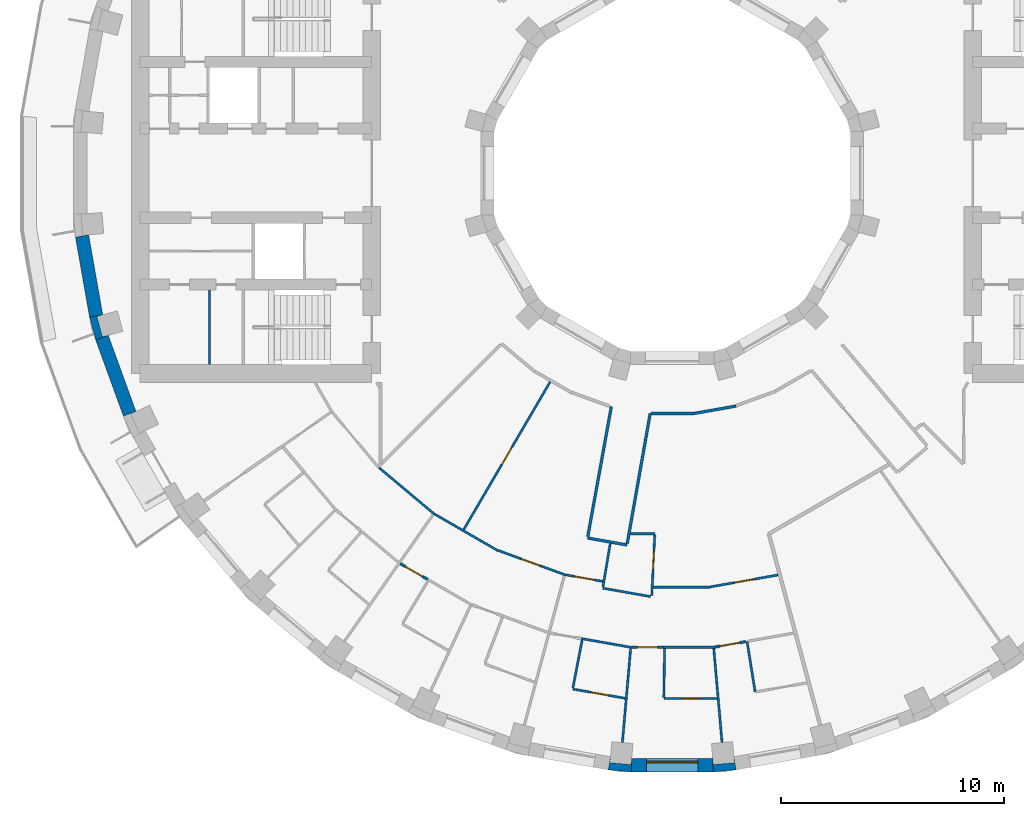
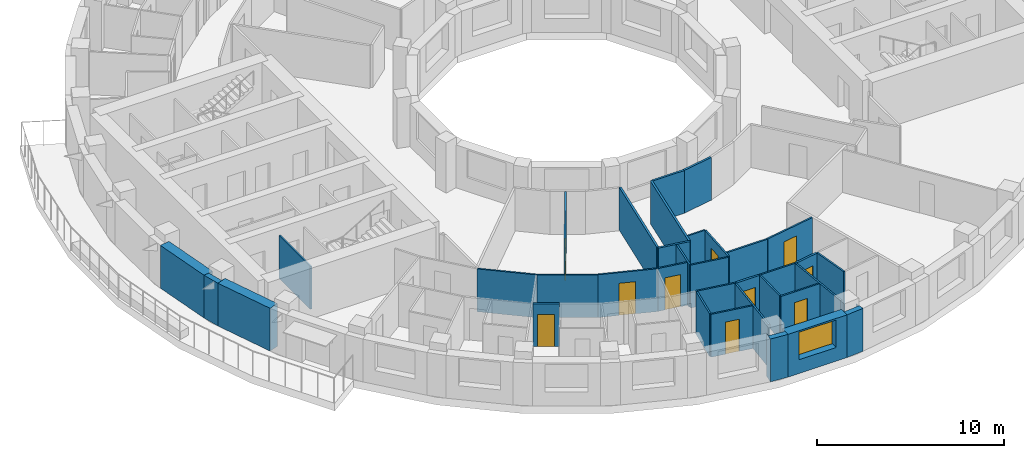
# One storey, part 3 of 12: 35 walls, 10 doors, 1 window, 11 openings.
"""IFC4 building model written with IfcOpenShell, lengths in metres."""

from ifc_helpers import new_model, si_unit, direction, frame, frame_2d, origin, place, context, subcontext, project, spatial, polyline, rectangle, outline, extrude, material, layer, layer_set, type_object, element, fill, save


model = new_model("IFC4")

# Units and contexts
model_context = context("Model", 3, precision=1e-05, world=origin(), true_north=direction((0.0, 1.0)))
body_context = subcontext(model_context, "Body", "Model", "MODEL_VIEW")
ifc_project = project(units=[si_unit("LENGTHUNIT", "METRE"), si_unit("AREAUNIT", "SQUARE_METRE"), si_unit("VOLUMEUNIT", "CUBIC_METRE"), si_unit("PLANEANGLEUNIT", "RADIAN"), si_unit("MASSUNIT", "GRAM", prefix="KILO")], contexts=[model_context])

# Site, building, storey
site_placement = place(None, origin())
site = spatial("IfcSite", under=ifc_project, at=site_placement, CompositionType="ELEMENT")
building_placement = place(site_placement, origin())
building = spatial("IfcBuilding", under=site, at=building_placement, Name="Saqina Gate Tower", CompositionType="ELEMENT")
storey_placement = place(building_placement, frame((0.0, 0.0, 115.0)))
storey = spatial("IfcBuildingStorey", under=building, at=storey_placement, Name="L32", CompositionType="ELEMENT", Elevation=115.0)

# Walls
ifc_material_1 = material(Name="Brick masonry (buff)", Category="masonry")
wall_type_1 = type_object("IfcWallType", Name="BRICK PIER COPING BUFF", PredefinedType="SOLIDWALL", material=ifc_material_1)
wall_1_placement = place(storey_placement, origin())
element("IfcWall", 1, at=wall_1_placement, inside=storey, type_object=wall_type_1, Name="Pier cap L32 column 20", PredefinedType="SOLIDWALL", context=body_context, shape_type="SweptSolid", body=[
    extrude(outline(polyline([(-26.171875, -6.466796875), (-25.89892578125, -7.485595703125), (-25.335205078125, -7.2802734375), (-25.5947265625, -7.349853515625), (-25.8408203125, -6.43212890625), (-25.5810546875, -6.36279296875), (-26.171875, -6.466796875)])), origin(), (0.0, 0.0, 1.0), 2.800048828125),
])
wall_2_placement = place(storey_placement, origin())
element("IfcWall", 2, at=wall_2_placement, inside=storey, type_object=wall_type_1, Name="Pier cap L32 column 27", PredefinedType="SOLIDWALL", context=body_context, shape_type="SweptSolid", body=[
    extrude(outline(polyline([(-2.87451171875, -26.805419921875), (-1.823974609375, -26.897216796875), (-1.823974609375, -26.29736328125), (-1.847412109375, -26.565185546875), (-2.793701171875, -26.482421875), (-2.770263671875, -26.214599609375), (-2.87451171875, -26.805419921875)])), origin(), (0.0, 0.0, 1.0), 2.800048828125),
])
wall_3_placement = place(storey_placement, origin())
element("IfcWall", 3, at=wall_3_placement, inside=storey, type_object=wall_type_1, Name="Pier cap L32 column 28", PredefinedType="SOLIDWALL", context=body_context, shape_type="SweptSolid", body=[
    extrude(outline(polyline([(2.87451171875, -26.805419921875), (2.770263671875, -26.214599609375), (2.793701171875, -26.482421875), (1.847412109375, -26.565185546875), (1.823974609375, -26.29736328125), (1.823974609375, -26.897216796875), (2.87451171875, -26.805419921875)])), origin(), (0.0, 0.0, 1.0), 2.800048828125),
])
ifc_material_2 = material(Name="Gypsum board on steel studs", Category="steel")
ifc_layer_1 = layer(ifc_material_2, 0.10009765625)
ifc_layer_set_1 = layer_set([ifc_layer_1], Name="CORE PARTITION")
wall_type_2 = type_object("IfcWallType", Name="CORE PARTITION", PredefinedType="PARTITIONING", material=ifc_layer_set_1)
wall_4_placement = place(storey_placement, frame((-20.782958984375, -8.60009765625, 0.0), z_axis=(0.0, 0.0, 1.0), x_axis=(0.0, 1.0, 0.0)))
element("IfcWall", 4, at=wall_4_placement, inside=storey, type_object=wall_type_2, Name="L32-CP-W13", PredefinedType="PARTITIONING", context=body_context, shape_type="SweptSolid", body=[
    extrude(rectangle(XDim=3.35009765625, YDim=0.10009765625, at=frame_2d((1.675048828125, 0.0))), origin(), (0.0, 0.0, 1.0), 2.800048828125),
])

# Wall, opening, window
ifc_material_3 = material(Name="Brick masonry (buff)", Category="masonry")
ifc_layer_2 = layer(ifc_material_3, 0.60009765625)
ifc_layer_set_2 = layer_set([ifc_layer_2], Name="FW-BRICK-BUFF")
wall_type_3 = type_object("IfcWallType", Name="FW-BRICK-BUFF", PredefinedType="SOLIDWALL", material=ifc_layer_set_2)
wall_5_placement = place(storey_placement, frame((-1.823974609375, -26.59716796875, 0.0), z_axis=(0.0, 0.0, 1.0), x_axis=(1.0, 0.0, 0.0)))
wall_5 = element("IfcWall", 5, at=wall_5_placement, inside=storey, type_object=wall_type_3, Name="Facade wall L32 facet 27", PredefinedType="SOLIDWALL", context=body_context, shape_type="SweptSolid", body=[
    extrude(rectangle(XDim=3.64794921875, YDim=0.60009765625, at=frame_2d((1.823974609375, 0.0))), origin(), (0.0, 0.0, 1.0), 2.800048828125),
])
opening_1_placement = place(wall_5_placement, frame((0.673828125, 0.0, 0.89990234375)))
opening_1 = element("IfcOpeningElement", 6, at=opening_1_placement, cuts=wall_5, Name="Opening G09-W19", PredefinedType="OPENING", context=body_context, shape_type="SweptSolid", body=[
    extrude(rectangle(XDim=2.300048828125, YDim=1.800048828125, at=frame_2d((1.14990234375, 0.89990234375))), frame((0.0, 0.31201171875, 0.0), z_axis=(0.0, -1.0, 0.0), x_axis=(1.0, 0.0, 0.0)), (0.0, 0.0, 1.0), 0.6240234375),
])
ifc_material_4 = material(Name="Aluminium glazing", Category="aluminium")
window_type = type_object("IfcWindowType", Name="WN-B", PartitioningType="SINGLE_PANEL", PredefinedType="WINDOW", material=ifc_material_4)
window_placement = place(opening_1_placement, origin())
window = element("IfcWindow", 7, at=window_placement, inside=storey, type_object=window_type, Name="Window L32 facet 27", OverallHeight=1.800048828125, OverallWidth=2.300048828125, PartitioningType="SINGLE_PANEL", PredefinedType="WINDOW", context=body_context, shape_type="SweptSolid", body=[
    extrude(rectangle(XDim=2.300048828125, YDim=1.800048828125, at=frame_2d((1.14990234375, 0.89990234375))), frame((0.0, 0.179931640625, 0.0), z_axis=(0.0, -1.0, 0.0), x_axis=(1.0, 0.0, 0.0)), (0.0, 0.0, 1.0), 0.06005859375),
])
fill(opening_1, window)

# Walls
ifc_material_5 = material(Name="Glazed ceramic tile", Category="ceramic")
ifc_layer_3 = layer(ifc_material_5, 0.60009765625)
ifc_layer_set_3 = layer_set([ifc_layer_3], Name="FW-TILE")
wall_type_4 = type_object("IfcWallType", Name="FW-TILE", PredefinedType="SOLIDWALL", material=ifc_layer_set_3)
wall_6_placement = place(storey_placement, frame((-26.510009765625, -2.822265625, 0.0), z_axis=(0.0, 0.0, 1.0), x_axis=(0.173670796382, -0.984803764455, 0.0)))
element("IfcWall", 8, at=wall_6_placement, inside=storey, type_object=wall_type_4, Name="Facade wall L32 facet 19", PredefinedType="SOLIDWALL", context=body_context, shape_type="SweptSolid", body=[
    extrude(rectangle(XDim=3.64794921875, YDim=0.60009765625, at=frame_2d((1.823974609375, 0.0))), origin(), (0.0, 0.0, 1.0), 2.800048828125),
])
ifc_material_6 = material(Name="Glazed ceramic tile (white)", Category="ceramic")
ifc_layer_4 = layer(ifc_material_6, 0.60009765625)
ifc_layer_set_4 = layer_set([ifc_layer_4], Name="FW-TILE-WH")
wall_type_5 = type_object("IfcWallType", Name="FW-TILE-WH", PredefinedType="SOLIDWALL", material=ifc_layer_set_4)
wall_7_placement = place(storey_placement, frame((-25.616943359375, -7.3828125, 0.0), z_axis=(0.0, 0.0, 1.0), x_axis=(0.341990236633, -0.939703505393, 0.0)))
element("IfcWall", 9, at=wall_7_placement, inside=storey, type_object=wall_type_5, Name="Facade wall L32 facet 20", PredefinedType="SOLIDWALL", context=body_context, shape_type="SweptSolid", body=[
    extrude(rectangle(XDim=3.64794921875, YDim=0.60009765625, at=frame_2d((1.823974609375, 0.0))), origin(), (0.0, 0.0, 1.0), 2.800048828125),
])
ifc_material_7 = material(Name="Gypsum board on steel studs, 100 mm", Category="steel")
ifc_layer_5 = layer(ifc_material_7, 0.10009765625)
ifc_layer_set_5 = layer_set([ifc_layer_5], Name="PARTITION 100")
wall_type_6 = type_object("IfcWallType", Name="PARTITION 100", PredefinedType="PARTITIONING", material=ifc_layer_set_5)
wall_8_placement = place(storey_placement, frame((1.866455078125, -21.346923828125, 0.0), z_axis=(0.0, 0.0, 1.0), x_axis=(0.087475042973, -0.996166711378, 0.0)))
element("IfcWall", 10, at=wall_8_placement, inside=storey, type_object=wall_type_6, Name="PARTITION PW3-02", PredefinedType="PARTITIONING", context=body_context, shape_type="SweptSolid", body=[
    extrude(rectangle(XDim=4.23681640625, YDim=0.10009765625, at=frame_2d((2.118408203125, 0.0))), origin(), (0.0, 0.0, 1.0), 2.800048828125),
])
wall_9_placement = place(storey_placement, frame((3.362060546875, -21.032958984375, 0.0), z_axis=(0.0, 0.0, 1.0), x_axis=(0.157853871444, -0.987462482968, 0.0)))
element("IfcWall", 11, at=wall_9_placement, inside=storey, type_object=wall_type_6, Name="PARTITION PW3-04", PredefinedType="PARTITIONING", context=body_context, shape_type="SweptSolid", body=[
    extrude(rectangle(XDim=2.2998046875, YDim=0.10009765625, at=frame_2d((1.14990234375, 0.0))), origin(), (0.0, 0.0, 1.0), 2.800048828125),
])
wall_10_placement = place(storey_placement, frame((-13.163818359375, -13.234130859375, 0.0), z_axis=(0.0, 0.0, 1.0), x_axis=(0.766028328168, -0.642806814248, 0.0)))
element("IfcWall", 12, at=wall_10_placement, inside=storey, type_object=wall_type_6, Name="PARTITION PW3-26", PredefinedType="PARTITIONING", context=body_context, shape_type="SweptSolid", body=[
    extrude(rectangle(XDim=3.25537109375, YDim=0.10009765625, at=frame_2d((1.627685546875, 0.0))), origin(), (0.0, 0.0, 1.0), 2.800048828125),
])
wall_11_placement = place(storey_placement, frame((-10.665771484375, -15.319091796875, 0.0), z_axis=(0.0, 0.0, 1.0), x_axis=(0.866019502567, -0.500010221068, 0.0)))
element("IfcWall", 13, at=wall_11_placement, inside=storey, type_object=wall_type_6, Name="PARTITION PW3-33", PredefinedType="PARTITIONING", context=body_context, shape_type="SweptSolid", body=[
    extrude(rectangle(XDim=3.255859375, YDim=0.10009765625, at=frame_2d((1.6279296875, 0.0))), origin(), (0.0, 0.0, 1.0), 2.800048828125),
])

# Wall, opening, door
wall_12_placement = place(storey_placement, frame((-7.843017578125, -16.93798828125, 0.0), z_axis=(0.0, 0.0, 1.0), x_axis=(0.939697033511, -0.34200801922, 0.0)))
wall_12 = element("IfcWall", 14, at=wall_12_placement, inside=storey, type_object=wall_type_6, Name="PARTITION PW3-40", PredefinedType="PARTITIONING", context=body_context, shape_type="SweptSolid", body=[
    extrude(rectangle(XDim=3.255126953125, YDim=0.10009765625, at=frame_2d((1.62744140625, 0.0))), origin(), (0.0, 0.0, 1.0), 2.800048828125),
])
opening_2_placement = place(wall_12_placement, frame((1.127197265625, 0.0, 0.0)))
opening_2 = element("IfcOpeningElement", 15, at=opening_2_placement, cuts=wall_12, Name="Opening G09-D39", PredefinedType="OPENING", context=body_context, shape_type="SweptSolid", body=[
    extrude(rectangle(XDim=0.89990234375, YDim=2.10009765625, at=frame_2d((0.449951171875, 1.050048828125))), frame((0.0, 0.06201171875, 0.0), z_axis=(0.0, -1.0, 0.0), x_axis=(1.0, 0.0, 0.0)), (0.0, 0.0, 1.0), 0.1240234375),
])
ifc_material_8 = material(Name="Timber door leaf, 900 mm", Category="wood")
door_type_1 = type_object("IfcDoorType", Name="DOOR 900 TIMBER", OperationType="SINGLE_SWING_LEFT", PredefinedType="DOOR", material=ifc_material_8)
door_1_placement = place(opening_2_placement, origin())
door_1 = element("IfcDoor", 16, at=door_1_placement, inside=storey, type_object=door_type_1, Name="DOOR G09-D39", OperationType="SINGLE_SWING_LEFT", OverallHeight=2.10009765625, OverallWidth=0.89990234375, PredefinedType="DOOR", context=body_context, shape_type="SweptSolid", body=[
    extrude(rectangle(XDim=0.89990234375, YDim=2.10009765625, at=frame_2d((0.449951171875, 1.050048828125))), frame((0.0, 0.02490234375, 0.0), z_axis=(0.0, -1.0, 0.0), x_axis=(1.0, 0.0, 0.0)), (0.0, 0.0, 1.0), 0.050048828125),
])
fill(opening_2, door_1)

wall_13_placement = place(storey_placement, frame((-4.469970703125, -23.173095703125, 0.0), z_axis=(0.0, 0.0, 1.0), x_axis=(0.984826665662, -0.173540884522, 0.0)))
wall_13 = element("IfcWall", 17, at=wall_13_placement, inside=storey, type_object=wall_type_6, Name="PARTITION PW3-45", PredefinedType="PARTITIONING", context=body_context, shape_type="SweptSolid", body=[
    extrude(rectangle(XDim=2.39306640625, YDim=0.10009765625, at=frame_2d((1.196533203125, 0.0))), origin(), (0.0, 0.0, 1.0), 2.800048828125),
])
opening_3_placement = place(wall_13_placement, frame((0.821533203125, 0.0, 0.0)))
opening_3 = element("IfcOpeningElement", 18, at=opening_3_placement, cuts=wall_13, Name="Opening G09-D43", PredefinedType="OPENING", context=body_context, shape_type="SweptSolid", body=[
    extrude(rectangle(XDim=0.800048828125, YDim=2.10009765625, at=frame_2d((0.39990234375, 1.050048828125))), frame((0.0, 0.06201171875, 0.0), z_axis=(0.0, -1.0, 0.0), x_axis=(1.0, 0.0, 0.0)), (0.0, 0.0, 1.0), 0.1240234375),
])
ifc_material_9 = material(Name="Timber door leaf, 800 mm", Category="wood")
door_type_2 = type_object("IfcDoorType", Name="DOOR 800 TIMBER", OperationType="SINGLE_SWING_LEFT", PredefinedType="DOOR", material=ifc_material_9)
door_2_placement = place(opening_3_placement, frame((0.800048828125, 0.0, 0.0), z_axis=(0.0, 0.0, 1.0), x_axis=(-1.0, 0.0, 0.0)))
door_2 = element("IfcDoor", 19, at=door_2_placement, inside=storey, type_object=door_type_2, Name="DOOR G09-D43", OperationType="SINGLE_SWING_LEFT", OverallHeight=2.10009765625, OverallWidth=0.800048828125, PredefinedType="DOOR", context=body_context, shape_type="SweptSolid", body=[
    extrude(rectangle(XDim=0.800048828125, YDim=2.10009765625, at=frame_2d((0.39990234375, 1.050048828125))), frame((0.0, 0.02490234375, 0.0), z_axis=(0.0, -1.0, 0.0), x_axis=(1.0, 0.0, 0.0)), (0.0, 0.0, 1.0), 0.050048828125),
])
fill(opening_3, door_2)

# Walls
wall_14_placement = place(storey_placement, frame((-4.084228515625, -20.9052734375, 0.0), z_axis=(0.0, 0.0, 1.0), x_axis=(0.984796344358, -0.173712866935, 0.0)))
element("IfcWall", 20, at=wall_14_placement, inside=storey, type_object=wall_type_6, Name="PARTITION PW3-46", PredefinedType="PARTITIONING", context=body_context, shape_type="SweptSolid", body=[
    extrude(rectangle(XDim=2.306396484375, YDim=0.10009765625, at=frame_2d((1.1533203125, 0.0))), origin(), (0.0, 0.0, 1.0), 2.800048828125),
])
wall_15_placement = place(storey_placement, frame((-3.118896484375, -18.64111328125, 0.0), z_axis=(0.0, 0.0, 1.0), x_axis=(0.984804954455, -0.173664048326, 0.0)))
element("IfcWall", 21, at=wall_15_placement, inside=storey, type_object=wall_type_6, Name="PARTITION PW3-47", PredefinedType="PARTITIONING", context=body_context, shape_type="SweptSolid", body=[
    extrude(rectangle(XDim=2.181884765625, YDim=0.10009765625, at=frame_2d((1.0908203125, 0.0))), origin(), (0.0, 0.0, 1.0), 2.800048828125),
])

# Wall, opening, door
wall_16_placement = place(storey_placement, frame((-4.78271484375, -18.042724609375, 0.0), z_axis=(0.0, 0.0, 1.0), x_axis=(0.98477046178, -0.173859534124, 0.0)))
wall_16 = element("IfcWall", 22, at=wall_16_placement, inside=storey, type_object=wall_type_6, Name="PARTITION PW3-48", PredefinedType="PARTITIONING", context=body_context, shape_type="SweptSolid", body=[
    extrude(rectangle(XDim=1.689208984375, YDim=0.10009765625, at=frame_2d((0.8447265625, 0.0))), origin(), (0.0, 0.0, 1.0), 2.800048828125),
])
opening_4_placement = place(wall_16_placement, frame((0.39453125, 0.0, 0.0)))
opening_4 = element("IfcOpeningElement", 23, at=opening_4_placement, cuts=wall_16, Name="Opening G09-D42", PredefinedType="OPENING", context=body_context, shape_type="SweptSolid", body=[
    extrude(rectangle(XDim=0.89990234375, YDim=2.10009765625, at=frame_2d((0.449951171875, 1.050048828125))), frame((0.0, 0.06201171875, 0.0), z_axis=(0.0, -1.0, 0.0), x_axis=(1.0, 0.0, 0.0)), (0.0, 0.0, 1.0), 0.1240234375),
])
door_3_placement = place(opening_4_placement, origin())
door_3 = element("IfcDoor", 24, at=door_3_placement, inside=storey, type_object=door_type_1, Name="DOOR G09-D42", OperationType="SINGLE_SWING_RIGHT", OverallHeight=2.10009765625, OverallWidth=0.89990234375, PredefinedType="DOOR", context=body_context, shape_type="SweptSolid", body=[
    extrude(rectangle(XDim=0.89990234375, YDim=2.10009765625, at=frame_2d((0.449951171875, 1.050048828125))), frame((0.0, 0.02490234375, 0.0), z_axis=(0.0, -1.0, 0.0), x_axis=(1.0, 0.0, 0.0)), (0.0, 0.0, 1.0), 0.050048828125),
])
fill(opening_4, door_3)

wall_17_placement = place(storey_placement, frame((-0.3779296875, -23.596923828125, 0.0), z_axis=(0.0, 0.0, 1.0), x_axis=(1.0, 0.0, 0.0)))
wall_17 = element("IfcWall", 25, at=wall_17_placement, inside=storey, type_object=wall_type_6, Name="PARTITION PW3-51", PredefinedType="PARTITIONING", context=body_context, shape_type="SweptSolid", body=[
    extrude(rectangle(XDim=2.391845703125, YDim=0.10009765625, at=frame_2d((1.19580078125, 0.0))), origin(), (0.0, 0.0, 1.0), 2.800048828125),
])
opening_5_placement = place(wall_17_placement, frame((0.821044921875, 0.0, 0.0)))
opening_5 = element("IfcOpeningElement", 26, at=opening_5_placement, cuts=wall_17, Name="Opening G09-D46", PredefinedType="OPENING", context=body_context, shape_type="SweptSolid", body=[
    extrude(rectangle(XDim=0.800048828125, YDim=2.10009765625, at=frame_2d((0.39990234375, 1.050048828125))), frame((0.0, 0.06201171875, 0.0), z_axis=(0.0, -1.0, 0.0), x_axis=(1.0, 0.0, 0.0)), (0.0, 0.0, 1.0), 0.1240234375),
])
door_4_placement = place(opening_5_placement, frame((0.800048828125, 0.0, 0.0), z_axis=(0.0, 0.0, 1.0), x_axis=(-1.0, 0.0, 0.0)))
door_4 = element("IfcDoor", 27, at=door_4_placement, inside=storey, type_object=door_type_2, Name="DOOR G09-D46", OperationType="SINGLE_SWING_LEFT", OverallHeight=2.10009765625, OverallWidth=0.800048828125, PredefinedType="DOOR", context=body_context, shape_type="SweptSolid", body=[
    extrude(rectangle(XDim=0.800048828125, YDim=2.10009765625, at=frame_2d((0.39990234375, 1.050048828125))), frame((0.0, 0.02490234375, 0.0), z_axis=(0.0, -1.0, 0.0), x_axis=(1.0, 0.0, 0.0)), (0.0, 0.0, 1.0), 0.050048828125),
])
fill(opening_5, door_4)

# Walls
wall_18_placement = place(storey_placement, frame((-0.39111328125, -21.297119140625, 0.0), z_axis=(0.0, 0.0, 1.0), x_axis=(1.0, 0.0, 0.0)))
element("IfcWall", 28, at=wall_18_placement, inside=storey, type_object=wall_type_6, Name="PARTITION PW3-52", PredefinedType="PARTITIONING", context=body_context, shape_type="SweptSolid", body=[
    extrude(rectangle(XDim=2.304931640625, YDim=0.10009765625, at=frame_2d((1.15234375, 0.0))), origin(), (0.0, 0.0, 1.0), 2.800048828125),
])
wall_19_placement = place(storey_placement, frame((-0.84912109375, -18.59912109375, 0.0), z_axis=(0.0, 0.0, 1.0), x_axis=(1.0, 0.0, 0.0)))
element("IfcWall", 29, at=wall_19_placement, inside=storey, type_object=wall_type_6, Name="PARTITION PW3-53", PredefinedType="PARTITIONING", context=body_context, shape_type="SweptSolid", body=[
    extrude(rectangle(XDim=2.52685546875, YDim=0.10009765625, at=frame_2d((1.263427734375, 0.0))), origin(), (0.0, 0.0, 1.0), 2.800048828125),
])
wall_20_placement = place(storey_placement, frame((-1.880615234375, -16.201904296875, 0.0), z_axis=(0.0, 0.0, 1.0), x_axis=(1.0, 0.0, 0.0)))
element("IfcWall", 30, at=wall_20_placement, inside=storey, type_object=wall_type_6, Name="PARTITION PW3-54", PredefinedType="PARTITIONING", context=body_context, shape_type="SweptSolid", body=[
    extrude(rectangle(XDim=1.09765625, YDim=0.10009765625, at=frame_2d((0.548828125, 0.0))), origin(), (0.0, 0.0, 1.0), 2.800048828125),
])

# Wall, opening, door
wall_21_placement = place(storey_placement, frame((1.67626953125, -18.59033203125, 0.0), z_axis=(0.0, 0.0, 1.0), x_axis=(0.984818097546, 0.173589500677, 0.0)))
wall_21 = element("IfcWall", 31, at=wall_21_placement, inside=storey, type_object=wall_type_6, Name="PARTITION PW3-60", PredefinedType="PARTITIONING", context=body_context, shape_type="SweptSolid", body=[
    extrude(rectangle(XDim=3.12939453125, YDim=0.10009765625, at=frame_2d((1.564697265625, 0.0))), origin(), (0.0, 0.0, 1.0), 2.800048828125),
])
opening_6_placement = place(wall_21_placement, frame((1.127197265625, 0.0, 0.0)))
opening_6 = element("IfcOpeningElement", 32, at=opening_6_placement, cuts=wall_21, Name="Opening G09-D48", PredefinedType="OPENING", context=body_context, shape_type="SweptSolid", body=[
    extrude(rectangle(XDim=0.89990234375, YDim=2.10009765625, at=frame_2d((0.449951171875, 1.050048828125))), frame((0.0, 0.06201171875, 0.0), z_axis=(0.0, -1.0, 0.0), x_axis=(1.0, 0.0, 0.0)), (0.0, 0.0, 1.0), 0.1240234375),
])
door_5_placement = place(opening_6_placement, origin())
door_5 = element("IfcDoor", 33, at=door_5_placement, inside=storey, type_object=door_type_1, Name="DOOR G09-D48", OperationType="SINGLE_SWING_RIGHT", OverallHeight=2.10009765625, OverallWidth=0.89990234375, PredefinedType="DOOR", context=body_context, shape_type="SweptSolid", body=[
    extrude(rectangle(XDim=0.89990234375, YDim=2.10009765625, at=frame_2d((0.449951171875, 1.050048828125))), frame((0.0, 0.02490234375, 0.0), z_axis=(0.0, -1.0, 0.0), x_axis=(1.0, 0.0, 0.0)), (0.0, 0.0, 1.0), 0.050048828125),
])
fill(opening_6, door_5)

wall_22_placement = place(storey_placement, frame((-9.36572265625, -16.01171875, 0.0), z_axis=(0.0, 0.0, 1.0), x_axis=(0.504907426376, 0.863173499819, 0.0)))
wall_22 = element("IfcWall", 34, at=wall_22_placement, inside=storey, type_object=wall_type_6, Name="PARTITION PW3-86", PredefinedType="PARTITIONING", context=body_context, shape_type="SweptSolid", body=[
    extrude(rectangle(XDim=7.686767578125, YDim=0.10009765625, at=frame_2d((3.84326171875, 0.0))), origin(), (0.0, 0.0, 1.0), 2.800048828125),
])
opening_7_placement = place(wall_22_placement, frame((3.400390625, 0.0, 0.0)))
opening_7 = element("IfcOpeningElement", 35, at=opening_7_placement, cuts=wall_22, Name="Opening G09-D36", PredefinedType="OPENING", context=body_context, shape_type="SweptSolid", body=[
    extrude(rectangle(XDim=0.89990234375, YDim=2.10009765625, at=frame_2d((0.449951171875, 1.050048828125))), frame((0.0, 0.06201171875, 0.0), z_axis=(0.0, -1.0, 0.0), x_axis=(1.0, 0.0, 0.0)), (0.0, 0.0, 1.0), 0.1240234375),
])
door_6_placement = place(opening_7_placement, frame((0.89990234375, 0.0, 0.0), z_axis=(0.0, 0.0, 1.0), x_axis=(-1.0, 0.0, 0.0)))
door_6 = element("IfcDoor", 36, at=door_6_placement, inside=storey, type_object=door_type_1, Name="DOOR G09-D36", OperationType="SINGLE_SWING_LEFT", OverallHeight=2.10009765625, OverallWidth=0.89990234375, PredefinedType="DOOR", context=body_context, shape_type="SweptSolid", body=[
    extrude(rectangle(XDim=0.89990234375, YDim=2.10009765625, at=frame_2d((0.449951171875, 1.050048828125))), frame((0.0, 0.02490234375, 0.0), z_axis=(0.0, -1.0, 0.0), x_axis=(1.0, 0.0, 0.0)), (0.0, 0.0, 1.0), 0.050048828125),
])
fill(opening_7, door_6)

# Walls
wall_23_placement = place(storey_placement, frame((-4.46044921875, -23.1240234375, 0.0), z_axis=(0.0, 0.0, 1.0), x_axis=(0.189008785522, 0.981975396329, 0.0)))
element("IfcWall", 37, at=wall_23_placement, inside=storey, type_object=wall_type_6, Name="PARTITION PW3-100", PredefinedType="PARTITIONING", context=body_context, shape_type="SweptSolid", body=[
    extrude(rectangle(XDim=2.188232421875, YDim=0.10009765625, at=frame_2d((1.09423828125, 0.0))), origin(), (0.0, 0.0, 1.0), 2.800048828125),
])
wall_24_placement = place(storey_placement, frame((-3.110595703125, -18.590576171875, 0.0), z_axis=(0.0, 0.0, 1.0), x_axis=(0.164837501203, 0.986320737994, 0.0)))
element("IfcWall", 38, at=wall_24_placement, inside=storey, type_object=wall_type_6, Name="PARTITION PW3-101", PredefinedType="PARTITIONING", context=body_context, shape_type="SweptSolid", body=[
    extrude(rectangle(XDim=1.986083984375, YDim=0.10009765625, at=frame_2d((0.9931640625, 0.0))), origin(), (0.0, 0.0, 1.0), 2.800048828125),
])
wall_25_placement = place(storey_placement, frame((-2.237060546875, -25.5673828125, 0.0), z_axis=(0.0, 0.0, 1.0), x_axis=(0.087445126958, 0.9961693379, 0.0)))
element("IfcWall", 39, at=wall_25_placement, inside=storey, type_object=wall_type_6, Name="PARTITION PW3-103", PredefinedType="PARTITIONING", context=body_context, shape_type="SweptSolid", body=[
    extrude(rectangle(XDim=4.22412109375, YDim=0.10009765625, at=frame_2d((2.112060546875, 0.0))), origin(), (0.0, 0.0, 1.0), 2.800048828125),
])

# Wall, opening, door
wall_26_placement = place(storey_placement, frame((-0.917724609375, -18.97900390625, 0.0), z_axis=(0.0, 0.0, 1.0), x_axis=(0.049018559161, 0.998797867868, 0.0)))
wall_26 = element("IfcWall", 40, at=wall_26_placement, inside=storey, type_object=wall_type_6, Name="PARTITION PW3-105", PredefinedType="PARTITIONING", context=body_context, shape_type="SweptSolid", body=[
    extrude(rectangle(XDim=2.729248046875, YDim=0.10009765625, at=frame_2d((1.36474609375, 0.0))), origin(), (0.0, 0.0, 1.0), 2.800048828125),
])
opening_8_placement = place(wall_26_placement, frame((1.179443359375, 0.0, 0.0)))
opening_8 = element("IfcOpeningElement", 41, at=opening_8_placement, cuts=wall_26, Name="Opening G09-D45", PredefinedType="OPENING", context=body_context, shape_type="SweptSolid", body=[
    extrude(rectangle(XDim=0.800048828125, YDim=2.10009765625, at=frame_2d((0.39990234375, 1.050048828125))), frame((0.0, 0.06201171875, 0.0), z_axis=(0.0, -1.0, 0.0), x_axis=(1.0, 0.0, 0.0)), (0.0, 0.0, 1.0), 0.1240234375),
])
door_7_placement = place(opening_8_placement, frame((0.800048828125, 0.0, 0.0), z_axis=(0.0, 0.0, 1.0), x_axis=(-1.0, 0.0, 0.0)))
door_7 = element("IfcDoor", 42, at=door_7_placement, inside=storey, type_object=door_type_2, Name="DOOR G09-D45", OperationType="SINGLE_SWING_LEFT", OverallHeight=2.10009765625, OverallWidth=0.800048828125, PredefinedType="DOOR", context=body_context, shape_type="SweptSolid", body=[
    extrude(rectangle(XDim=0.800048828125, YDim=2.10009765625, at=frame_2d((0.39990234375, 1.050048828125))), frame((0.0, 0.02490234375, 0.0), z_axis=(0.0, -1.0, 0.0), x_axis=(1.0, 0.0, 0.0)), (0.0, 0.0, 1.0), 0.050048828125),
])
fill(opening_8, door_7)

# Wall
wall_27_placement = place(storey_placement, frame((-0.377197265625, -23.547119140625, 0.0), z_axis=(0.0, 0.0, 1.0), x_axis=(0.016067560631, 0.999870908415, 0.0)))
element("IfcWall", 43, at=wall_27_placement, inside=storey, type_object=wall_type_6, Name="PARTITION PW3-106", PredefinedType="PARTITIONING", context=body_context, shape_type="SweptSolid", body=[
    extrude(rectangle(XDim=2.18798828125, YDim=0.10009765625, at=frame_2d((1.093994140625, 0.0))), origin(), (0.0, 0.0, 1.0), 2.800048828125),
])

# Wall, opening, door
ifc_material_10 = material(Name="Gypsum board on steel studs, 125 mm, fire rated", Category="steel")
ifc_layer_6 = layer(ifc_material_10, 0.125)
ifc_layer_set_6 = layer_set([ifc_layer_6], Name="PARTITION EI 30 125")
wall_type_7 = type_object("IfcWallType", Name="PARTITION EI 30 125", PredefinedType="PARTITIONING", material=ifc_layer_set_6)
wall_28_placement = place(storey_placement, frame((-12.21875, -17.537109375, 0.0), z_axis=(0.0, 0.0, 1.0), x_axis=(0.866036909293, -0.499980071345, 0.0)))
wall_28 = element("IfcWall", 44, at=wall_28_placement, inside=storey, type_object=wall_type_7, Name="PARTITION PW1-11", PredefinedType="PARTITIONING", context=body_context, shape_type="SweptSolid", body=[
    extrude(rectangle(XDim=1.421875, YDim=0.125, at=frame_2d((0.7109375, 0.0))), origin(), (0.0, 0.0, 1.0), 2.800048828125),
])
opening_9_placement = place(wall_28_placement, frame((0.260986328125, 0.0, 0.0)))
opening_9 = element("IfcOpeningElement", 45, at=opening_9_placement, cuts=wall_28, Name="Opening G09-D35", PredefinedType="OPENING", context=body_context, shape_type="SweptSolid", body=[
    extrude(rectangle(XDim=0.89990234375, YDim=2.10009765625, at=frame_2d((0.449951171875, 1.050048828125))), frame((0.0, 0.074462890625, 0.0), z_axis=(0.0, -1.0, 0.0), x_axis=(1.0, 0.0, 0.0)), (0.0, 0.0, 1.0), 0.14892578125),
])
ifc_material_11 = material(Name="Fire door leaf EI 30, 900 mm")
door_type_3 = type_object("IfcDoorType", Name="DOOR 900 EI 30", OperationType="SINGLE_SWING_LEFT", PredefinedType="DOOR", material=ifc_material_11)
door_8_placement = place(opening_9_placement, origin())
door_8 = element("IfcDoor", 46, at=door_8_placement, inside=storey, type_object=door_type_3, Name="DOOR G09-D35", OperationType="SINGLE_SWING_LEFT", OverallHeight=2.10009765625, OverallWidth=0.89990234375, PredefinedType="DOOR", context=body_context, shape_type="SweptSolid", body=[
    extrude(rectangle(XDim=0.89990234375, YDim=2.10009765625, at=frame_2d((0.449951171875, 1.050048828125))), frame((0.0, 0.02490234375, 0.0), z_axis=(0.0, -1.0, 0.0), x_axis=(1.0, 0.0, 0.0)), (0.0, 0.0, 1.0), 0.050048828125),
])
fill(opening_9, door_8)

# Wall
wall_29_placement = place(storey_placement, frame((-3.803955078125, -16.387939453125, 0.0), z_axis=(0.0, 0.0, 1.0), x_axis=(0.984772635564, -0.173847220985, 0.0)))
element("IfcWall", 47, at=wall_29_placement, inside=storey, type_object=wall_type_7, Name="PARTITION PW1-20", PredefinedType="PARTITIONING", context=body_context, shape_type="SweptSolid", body=[
    extrude(rectangle(XDim=1.80029296875, YDim=0.125, at=frame_2d((0.900146484375, 0.0))), origin(), (0.0, 0.0, 1.0), 2.800048828125),
])

# Wall, opening, door
wall_30_placement = place(storey_placement, frame((-1.81298828125, -21.297119140625, 0.0), z_axis=(0.0, 0.0, 1.0), x_axis=(1.0, 0.0, 0.0)))
wall_30 = element("IfcWall", 48, at=wall_30_placement, inside=storey, type_object=wall_type_7, Name="PARTITION PW1-23", PredefinedType="PARTITIONING", context=body_context, shape_type="SweptSolid", body=[
    extrude(rectangle(XDim=1.421875, YDim=0.125, at=frame_2d((0.7109375, 0.0))), origin(), (0.0, 0.0, 1.0), 2.800048828125),
])
opening_10_placement = place(wall_30_placement, frame((0.260986328125, 0.0, 0.0)))
opening_10 = element("IfcOpeningElement", 49, at=opening_10_placement, cuts=wall_30, Name="Opening G09-D44", PredefinedType="OPENING", context=body_context, shape_type="SweptSolid", body=[
    extrude(rectangle(XDim=0.89990234375, YDim=2.10009765625, at=frame_2d((0.449951171875, 1.050048828125))), frame((0.0, 0.074462890625, 0.0), z_axis=(0.0, -1.0, 0.0), x_axis=(1.0, 0.0, 0.0)), (0.0, 0.0, 1.0), 0.14892578125),
])
door_9_placement = place(opening_10_placement, origin())
door_9 = element("IfcDoor", 50, at=door_9_placement, inside=storey, type_object=door_type_3, Name="DOOR G09-D44", OperationType="SINGLE_SWING_LEFT", OverallHeight=2.10009765625, OverallWidth=0.89990234375, PredefinedType="DOOR", context=body_context, shape_type="SweptSolid", body=[
    extrude(rectangle(XDim=0.89990234375, YDim=2.10009765625, at=frame_2d((0.449951171875, 1.050048828125))), frame((0.0, 0.02490234375, 0.0), z_axis=(0.0, -1.0, 0.0), x_axis=(1.0, 0.0, 0.0)), (0.0, 0.0, 1.0), 0.050048828125),
])
fill(opening_10, door_9)

# Wall
wall_31_placement = place(storey_placement, frame((-0.945068359375, -10.800048828125, 0.0), z_axis=(0.0, 0.0, 1.0), x_axis=(1.0, 0.0, 0.0)))
element("IfcWall", 51, at=wall_31_placement, inside=storey, type_object=wall_type_7, Name="PARTITION PW1-24", PredefinedType="PARTITIONING", context=body_context, shape_type="SweptSolid", body=[
    extrude(rectangle(XDim=1.95361328125, YDim=0.125, at=frame_2d((0.976806640625, 0.0))), origin(), (0.0, 0.0, 1.0), 2.800048828125),
])

# Wall, opening, door
wall_32_placement = place(storey_placement, frame((1.912353515625, -21.288330078125, 0.0), z_axis=(0.0, 0.0, 1.0), x_axis=(0.984849170905, 0.173413121097, 0.0)))
wall_32 = element("IfcWall", 52, at=wall_32_placement, inside=storey, type_object=wall_type_7, Name="PARTITION PW1-28", PredefinedType="PARTITIONING", context=body_context, shape_type="SweptSolid", body=[
    extrude(rectangle(XDim=1.421875, YDim=0.125, at=frame_2d((0.7109375, 0.0))), origin(), (0.0, 0.0, 1.0), 2.800048828125),
])
opening_11_placement = place(wall_32_placement, frame((0.2373046875, 0.0, 0.0)))
opening_11 = element("IfcOpeningElement", 53, at=opening_11_placement, cuts=wall_32, Name="Opening G09-D47", PredefinedType="OPENING", context=body_context, shape_type="SweptSolid", body=[
    extrude(rectangle(XDim=0.89990234375, YDim=2.10009765625, at=frame_2d((0.449951171875, 1.050048828125))), frame((0.0, 0.074462890625, 0.0), z_axis=(0.0, -1.0, 0.0), x_axis=(1.0, 0.0, 0.0)), (0.0, 0.0, 1.0), 0.14892578125),
])
door_10_placement = place(opening_11_placement, origin())
door_10 = element("IfcDoor", 54, at=door_10_placement, inside=storey, type_object=door_type_3, Name="DOOR G09-D47", OperationType="SINGLE_SWING_LEFT", OverallHeight=2.10009765625, OverallWidth=0.89990234375, PredefinedType="DOOR", context=body_context, shape_type="SweptSolid", body=[
    extrude(rectangle(XDim=0.89990234375, YDim=2.10009765625, at=frame_2d((0.449951171875, 1.050048828125))), frame((0.0, 0.02490234375, 0.0), z_axis=(0.0, -1.0, 0.0), x_axis=(1.0, 0.0, 0.0)), (0.0, 0.0, 1.0), 0.050048828125),
])
fill(opening_11, door_10)

# Walls
wall_33_placement = place(storey_placement, frame((1.006591796875, -10.7890625, 0.0), z_axis=(0.0, 0.0, 1.0), x_axis=(0.984818645033, 0.173586394613, 0.0)))
element("IfcWall", 55, at=wall_33_placement, inside=storey, type_object=wall_type_7, Name="PARTITION PW1-29", PredefinedType="PARTITIONING", context=body_context, shape_type="SweptSolid", body=[
    extrude(rectangle(XDim=1.890380859375, YDim=0.125, at=frame_2d((0.9453125, 0.0))), origin(), (0.0, 0.0, 1.0), 2.800048828125),
])
wall_34_placement = place(storey_placement, frame((-3.79296875, -16.325439453125, 0.0), z_axis=(0.0, 0.0, 1.0), x_axis=(0.178389527964, 0.983959946498, 0.0)))
element("IfcWall", 56, at=wall_34_placement, inside=storey, type_object=wall_type_7, Name="PARTITION PW1-47", PredefinedType="PARTITIONING", context=body_context, shape_type="SweptSolid", body=[
    extrude(rectangle(XDim=5.935546875, YDim=0.125, at=frame_2d((2.9677734375, 0.0))), origin(), (0.0, 0.0, 1.0), 2.800048828125),
])
wall_35_placement = place(storey_placement, frame((-2.020263671875, -16.639404296875, 0.0), z_axis=(0.0, 0.0, 1.0), x_axis=(0.17368681293, 0.984800939791, 0.0)))
element("IfcWall", 57, at=wall_35_placement, inside=storey, type_object=wall_type_7, Name="PARTITION PW1-48", PredefinedType="PARTITIONING", context=body_context, shape_type="SweptSolid", body=[
    extrude(rectangle(XDim=5.9375, YDim=0.125, at=frame_2d((2.96875, 0.0))), origin(), (0.0, 0.0, 1.0), 2.800048828125),
])

save(model, "model.ifc")
